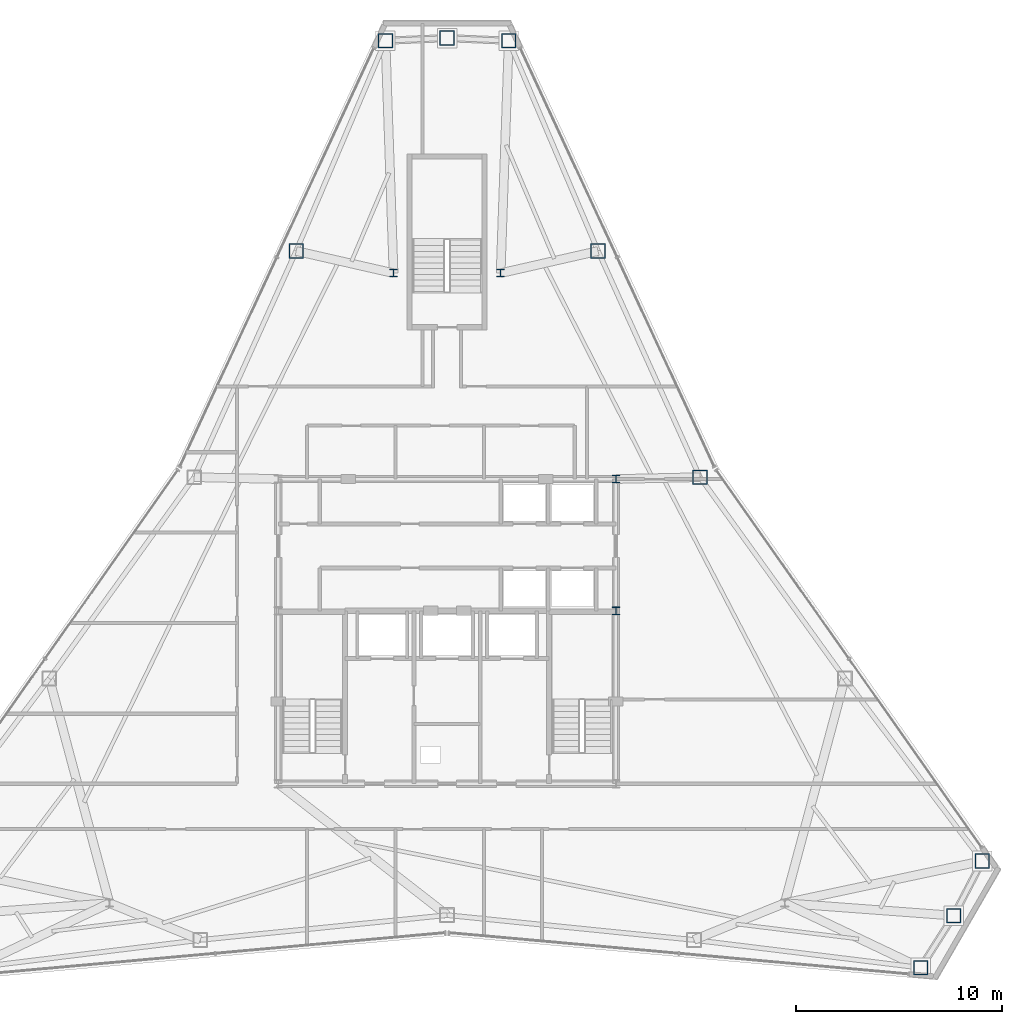
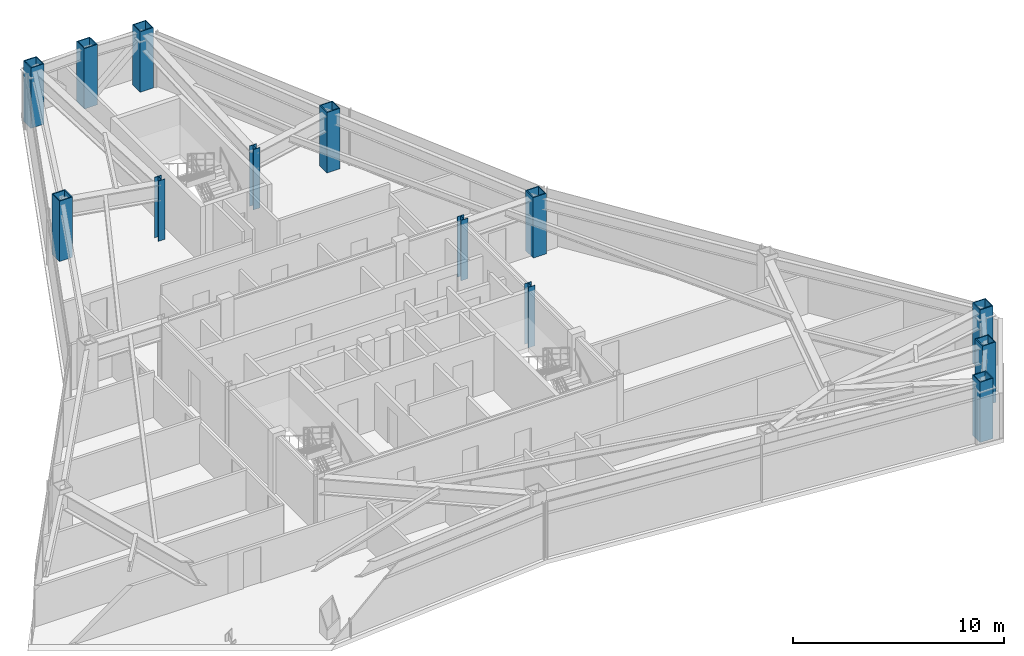
# One storey, part 2 of 12: 13 columns.
"""IFC4 building model written with IfcOpenShell, lengths in metres."""

from ifc_helpers import new_model, si_unit, direction, frame, origin, origin_2d, place, context, subcontext, project, spatial, hollow_rectangle, i_section, extrude, material, material_profile, profile_set, type_object, element, save


model = new_model("IFC4")

# Units and contexts
model_context = context("Model", 3, precision=1e-05, world=origin(), true_north=direction((0.0, 1.0)))
body_context = subcontext(model_context, "Body", "Model", "MODEL_VIEW")
ifc_project = project(units=[si_unit("LENGTHUNIT", "METRE"), si_unit("AREAUNIT", "SQUARE_METRE"), si_unit("VOLUMEUNIT", "CUBIC_METRE"), si_unit("PLANEANGLEUNIT", "RADIAN"), si_unit("MASSUNIT", "GRAM", prefix="KILO")], contexts=[model_context])

# Site, building, storey
site_placement = place(None, origin())
site = spatial("IfcSite", under=ifc_project, at=site_placement, CompositionType="ELEMENT")
building_placement = place(site_placement, origin())
building = spatial("IfcBuilding", under=site, at=building_placement, Name="Varakhsha Concourse Tower", CompositionType="ELEMENT")
storey_placement = place(building_placement, frame((0.0, 0.0, 236.39990234375)))
storey = spatial("IfcBuildingStorey", under=building, at=storey_placement, Name="L67", CompositionType="ELEMENT", Elevation=236.39990234375)

# Columns
ifc_material_1 = material(Name="Structural Steel ASTM A992 Grade 50", Category="steel")
ifc_material_profile_1 = material_profile(ifc_material_1, i_section(OverallWidth=0.3740234375, OverallDepth=0.3720703125, WebThickness=0.01611328125, FlangeThickness=0.02587890625, at=origin_2d()), Name="W14X132")
ifc_profile_set_1 = profile_set([ifc_material_profile_1], Name="Structural Steel ASTM A992 Grade 50")
column_type_1 = type_object("IfcColumnType", Name="CL-CORE-W14X132", PredefinedType="COLUMN", material=ifc_profile_set_1)
for number, where, z_axis, x_axis, name in (
    (1, (48.199951171875, 24.800048828125, 0.0), (0.0, 0.0, 1.0), (1.0, 0.0, 0.0), "L67 Core Column CC-ME"),
    (2, (48.199951171875, 31.199951171875, 0.0), (0.0, 0.0, 1.0), (1.0, 0.0, 0.0), "L67 Core Column CC-NE"),
    (3, (37.39990234375, 41.199951171875, 0.0), (0.0, 0.0, 1.0), (1.0, 0.0, 0.0), "L67 Core Column NS-W"),
    (4, (42.60009765625, 41.199951171875, 0.0), (0.0, 0.0, 1.0), (1.0, 0.0, 0.0), "L67 Core Column NS-E"),
):
    element("IfcColumn", number, at=place(storey_placement, frame(where, z_axis=z_axis, x_axis=x_axis)), inside=storey, type_object=column_type_1, Name=name, PredefinedType="COLUMN", context=body_context, shape_type="SweptSolid", body=[
        extrude(i_section(OverallWidth=0.3740234375, OverallDepth=0.3720703125, WebThickness=0.01611328125, FlangeThickness=0.02587890625, at=origin_2d()), origin(), (0.0, 0.0, 1.0), 3.5),
    ])
ifc_material_2 = material(Name="Structural Steel ASTM A572 Grade 50", Category="steel")
ifc_material_profile_2 = material_profile(ifc_material_2, hollow_rectangle(XDim=0.719970703125, YDim=0.719970703125, WallThickness=0.050048828125, at=origin_2d()), Name="BOX 720x720x50")
ifc_profile_set_2 = profile_set([ifc_material_profile_2], Name="Structural Steel ASTM A572 Grade 50")
column_type_2 = type_object("IfcColumnType", Name="CL-TUBE-720", PredefinedType="COLUMN", material=ifc_profile_set_2)
for number, where, z_axis, x_axis, name in (
    (5, (42.993408203125, 52.490966796875, 0.0), (0.0, 0.0, 1.0), (1.0, 0.0, 0.0), "L67 Framed-Tube Column TC01"),
    (6, (40.0, 52.6171875, 0.0), (0.0, 0.0, 1.0), (1.0, 0.0, 0.0), "L67 Framed-Tube Column TC02"),
    (7, (37.006591796875, 52.490966796875, 0.0), (0.0, 0.0, 1.0), (1.0, 0.0, 0.0), "L67 Framed-Tube Column TC03"),
    (8, (32.6689453125, 42.277099609375, 0.0), (0.0, 0.0, 1.0), (1.0, 0.0, 0.0), "L67 Framed-Tube Column TC04"),
    (9, (63.00390625, 7.4619140625, 0.0), (0.0, 0.0, 1.0), (1.0, 0.0, 0.0), "L67 Framed-Tube Column TC13"),
    (10, (64.610107421875, 9.9912109375, 0.0), (0.0, 0.0, 1.0), (1.0, 0.0, 0.0), "L67 Framed-Tube Column TC14"),
    (11, (65.997314453125, 12.64697265625, 0.0), (0.0, 0.0, 1.0), (1.0, 0.0, 0.0), "L67 Framed-Tube Column TC15"),
    (12, (52.2822265625, 31.291259765625, 0.0), (0.0, 0.0, 1.0), (1.0, 0.0, 0.0), "L67 Framed-Tube Column TC17"),
    (13, (47.3310546875, 42.277099609375, 0.0), (0.0, 0.0, 1.0), (1.0, 0.0, 0.0), "L67 Framed-Tube Column TC18"),
):
    element("IfcColumn", number, at=place(storey_placement, frame(where, z_axis=z_axis, x_axis=x_axis)), inside=storey, type_object=column_type_2, Name=name, PredefinedType="COLUMN", context=body_context, shape_type="SweptSolid", body=[
        extrude(hollow_rectangle(XDim=0.719970703125, YDim=0.719970703125, WallThickness=0.050048828125, at=origin_2d()), origin(), (0.0, 0.0, 1.0), 3.5),
    ])

save(model, "model.ifc")
